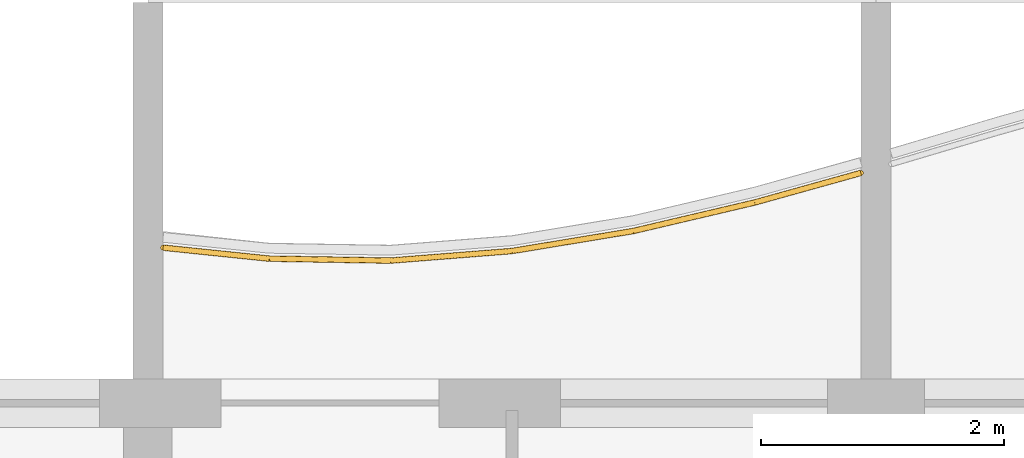
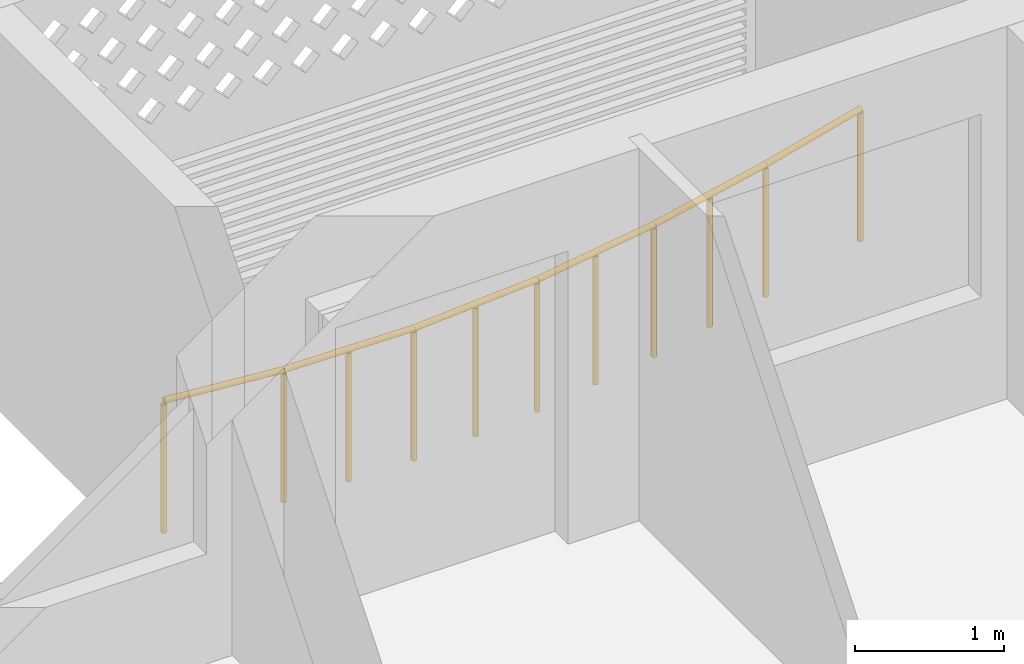
# One storey, part 33 of 40: 1 railing.
"""IFC4 building model written with IfcOpenShell, lengths in metres."""

from ifc_helpers import new_model, si_unit, direction, frame, origin, origin_2d, place, context, subcontext, project, spatial, circle, extrude, material, type_object, element, save


model = new_model("IFC4")

# Units and contexts
model_context = context("Model", 3, precision=1e-05, world=origin(), true_north=direction((0.0, 1.0)))
body_context = subcontext(model_context, "Body", "Model", "MODEL_VIEW")
ifc_project = project(units=[si_unit("LENGTHUNIT", "METRE"), si_unit("AREAUNIT", "SQUARE_METRE"), si_unit("VOLUMEUNIT", "CUBIC_METRE"), si_unit("PLANEANGLEUNIT", "RADIAN"), si_unit("MASSUNIT", "GRAM", prefix="KILO")], contexts=[model_context])

# Site, building, storey
site_placement = place(None, origin())
site = spatial("IfcSite", under=ifc_project, at=site_placement, CompositionType="ELEMENT")
building_placement = place(site_placement, origin())
building = spatial("IfcBuilding", under=site, at=building_placement, Name="Poui Terraces", CompositionType="ELEMENT")
storey_placement = place(building_placement, frame((0.0, 0.0, 39.89990234375)))
storey = spatial("IfcBuildingStorey", under=building, at=storey_placement, Name="L10", CompositionType="ELEMENT", Elevation=39.89990234375)

# Railing
ifc_material = material(Name="Painted steel fretwork", Category="steel")
railing_type = type_object("IfcRailingType", Name="BALCONY GUARD 1100", PredefinedType="GUARDRAIL", material=ifc_material)
railing_placement = place(storey_placement, frame((72.125, 46.081787109375, 0.0)))
element("IfcRailing", 1, at=railing_placement, inside=storey, type_object=railing_type, Name="BALCONY GUARD", PredefinedType="GUARDRAIL", context=body_context, shape_type="SweptSolid", body=[
    extrude(circle(Radius=0.02392578125, at=origin_2d()), frame((0.0, 0.0, 1.076171875), z_axis=(0.994684934875, -0.102965432712, 0.0), x_axis=(0.102965432712, 0.994684934875, 0.0)), (0.0, 0.0, 1.0), 0.879638671875),
    extrude(circle(Radius=0.02392578125, at=origin_2d()), frame((0.875, -0.090576171875, 1.076171875), z_axis=(0.999874108965, -0.015867142842, 0.0), x_axis=(0.015867142842, 0.999874108965, 0.0)), (0.0, 0.0, 1.0), 1.000244140625),
    extrude(circle(Radius=0.02392578125, at=origin_2d()), frame((1.875, -0.1064453125, 1.076171875), z_axis=(0.996905179889, 0.07861337234, 0.0), x_axis=(-0.07861337234, 0.996905179889, 0.0)), (0.0, 0.0, 1.0), 1.003173828125),
    extrude(circle(Radius=0.02392578125, at=origin_2d()), frame((2.875, -0.027587890625, 1.076171875), z_axis=(0.98665309941, 0.162836302539, 0.0), x_axis=(-0.162836302539, 0.98665309941, 0.0)), (0.0, 0.0, 1.0), 1.013427734375),
    extrude(circle(Radius=0.02392578125, at=origin_2d()), frame((3.875, 0.137451171875, 1.076171875), z_axis=(0.973510598085, 0.228641893398, 0.0), x_axis=(-0.228641893398, 0.973510598085, 0.0)), (0.0, 0.0, 1.0), 1.027099609375),
    extrude(circle(Radius=0.02392578125, at=origin_2d()), frame((4.875, 0.372314453125, 1.076171875), z_axis=(0.963348277861, 0.268253789427, 0.0), x_axis=(-0.268253789427, 0.963348277861, 0.0)), (0.0, 0.0, 1.0), 0.908203125),
    extrude(circle(Radius=0.02099609375, at=origin_2d()), origin(), (0.0, 0.0, 1.0), 1.052001953125),
    extrude(circle(Radius=0.02099609375, at=origin_2d()), frame((0.875, -0.090576171875, 0.0)), (0.0, 0.0, 1.0), 1.052001953125),
    extrude(circle(Radius=0.02099609375, at=origin_2d()), frame((1.375, -0.0986328125, 0.0)), (0.0, 0.0, 1.0), 1.052001953125),
    extrude(circle(Radius=0.02099609375, at=origin_2d()), frame((1.875, -0.1064453125, 0.0)), (0.0, 0.0, 1.0), 1.052001953125),
    extrude(circle(Radius=0.02099609375, at=origin_2d()), frame((2.375, -0.06689453125, 0.0)), (0.0, 0.0, 1.0), 1.052001953125),
    extrude(circle(Radius=0.02099609375, at=origin_2d()), frame((2.875, -0.027587890625, 0.0)), (0.0, 0.0, 1.0), 1.052001953125),
    extrude(circle(Radius=0.02099609375, at=origin_2d()), frame((3.375, 0.054931640625, 0.0)), (0.0, 0.0, 1.0), 1.052001953125),
    extrude(circle(Radius=0.02099609375, at=origin_2d()), frame((3.875, 0.137451171875, 0.0)), (0.0, 0.0, 1.0), 1.052001953125),
    extrude(circle(Radius=0.02099609375, at=origin_2d()), frame((4.375, 0.2548828125, 0.0)), (0.0, 0.0, 1.0), 1.052001953125),
    extrude(circle(Radius=0.02099609375, at=origin_2d()), frame((4.875, 0.372314453125, 0.0)), (0.0, 0.0, 1.0), 1.052001953125),
    extrude(circle(Radius=0.02099609375, at=origin_2d()), frame((5.75, 0.615966796875, 0.0)), (0.0, 0.0, 1.0), 1.052001953125),
])

save(model, "model.ifc")
